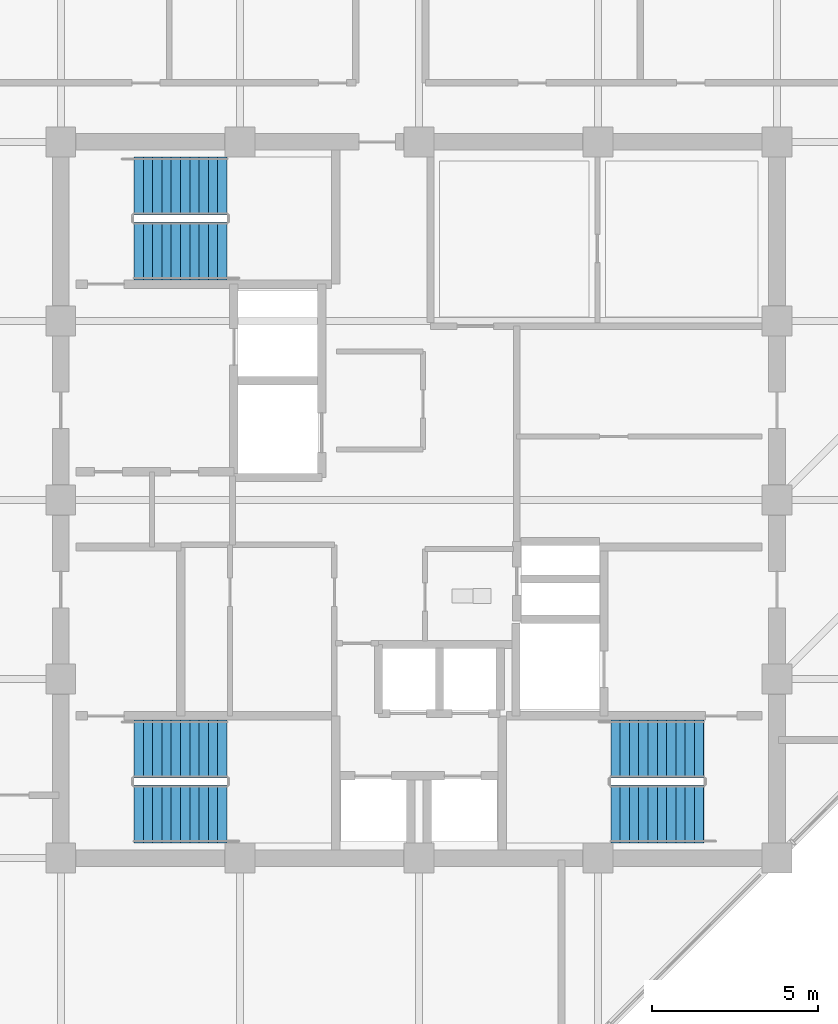
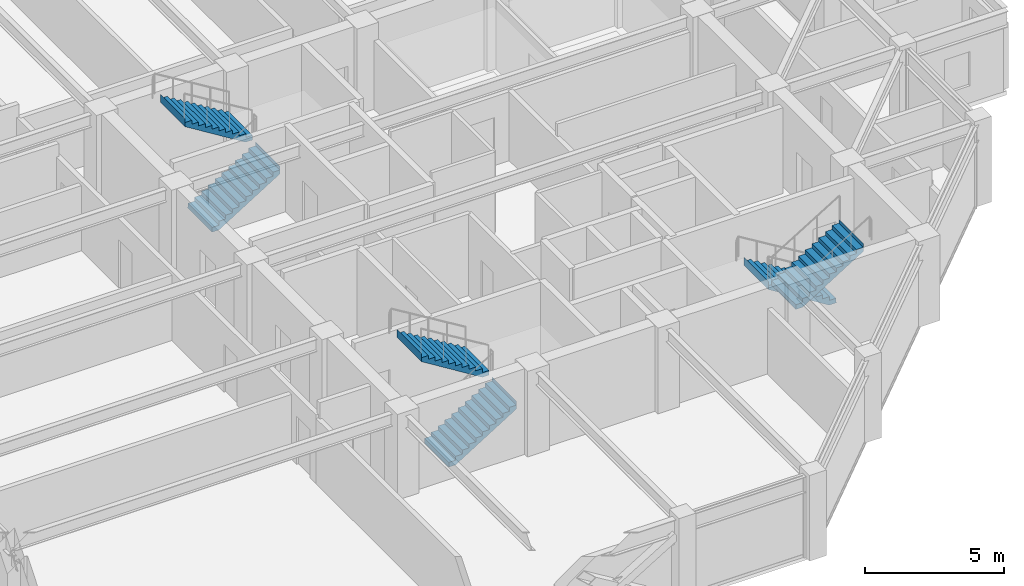
# One storey, part 29 of 32: 6 stair flights, 3 elements without a shape of their own.
"""IFC4 building model written with IfcOpenShell, lengths in metres."""

from ifc_helpers import new_model, si_unit, direction, frame, origin, place, context, subcontext, project, spatial, polyline, outline, extrude, material, type_object, element, aggregate, save


model = new_model("IFC4")

# Units and contexts
model_context = context("Model", 3, precision=1e-05, world=origin(), true_north=direction((0.0, 1.0)))
body_context = subcontext(model_context, "Body", "Model", "MODEL_VIEW")
ifc_project = project(units=[si_unit("LENGTHUNIT", "METRE"), si_unit("AREAUNIT", "SQUARE_METRE"), si_unit("VOLUMEUNIT", "CUBIC_METRE"), si_unit("PLANEANGLEUNIT", "RADIAN"), si_unit("MASSUNIT", "GRAM", prefix="KILO")], contexts=[model_context])

# Site, building, storey
site_placement = place(None, origin())
site = spatial("IfcSite", under=ifc_project, at=site_placement, CompositionType="ELEMENT")
building_placement = place(site_placement, origin())
building = spatial("IfcBuilding", under=site, at=building_placement, Name="Surkhivell Harbour Commons", CompositionType="ELEMENT")
storey_placement = place(building_placement, frame((0.0, 0.0, 311.25)))
storey = spatial("IfcBuildingStorey", under=building, at=storey_placement, Name="L81", CompositionType="ELEMENT", Elevation=311.25)

# Stair, stair flights
ifc_material = material(Name="Precast concrete C45/55", Category="concrete")
stair_type = type_object("IfcStairType", Name="STR-DL-375", PredefinedType="HALF_TURN_STAIR", material=ifc_material)
stair_1_placement = place(storey_placement, origin())
stair_1 = element("IfcStair", 1, at=stair_1_placement, inside=storey, type_object=stair_type, Name="L81 Core Exit Stair ST1", PredefinedType="HALF_TURN_STAIR")
stair_flight_type = type_object("IfcStairFlightType", Name="STF-DL-375", PredefinedType="STRAIGHT", material=ifc_material)
stair_flight_1_placement = place(storey_placement, frame((-8.590087890625, 7.514892578125, 0.0), z_axis=(0.0, 0.0, 1.0), x_axis=(1.0, 0.0, 0.0)))
stair_flight_1 = element("IfcStairFlight", 2, at=stair_flight_1_placement, type_object=stair_flight_type, Name="ST1 flight 1", NumberOfRisers=11, NumberOfTreads=10, PredefinedType="STRAIGHT", RiserHeight=0.170454545, TreadLength=0.28, context=body_context, shape_type="SweptSolid", body=[
    extrude(outline(polyline([(-0.0029296875, -0.034912109375), (-0.0029296875, 0.0), (0.0, 0.0), (0.0, 0.17041015625), (0.280029296875, 0.17041015625), (0.280029296875, 0.3408203125), (0.56005859375, 0.3408203125), (0.56005859375, 0.511474609375), (0.840087890625, 0.511474609375), (0.840087890625, 0.681884765625), (1.1201171875, 0.681884765625), (1.1201171875, 0.852294921875), (1.39990234375, 0.852294921875), (1.39990234375, 1.022705078125), (1.679931640625, 1.022705078125), (1.679931640625, 1.193115234375), (1.9599609375, 1.193115234375), (1.9599609375, 1.363525390625), (2.239990234375, 1.363525390625), (2.239990234375, 1.5341796875), (2.52001953125, 1.5341796875), (2.52001953125, 1.70458984375), (2.800048828125, 1.70458984375), (2.800048828125, 1.875), (2.802978515625, 1.875), (2.802978515625, 1.529052734375), (0.288330078125, -0.034912109375), (-0.0029296875, -0.034912109375)])), frame((0.0, 0.875, 0.0), z_axis=(0.0, -1.0, 0.0), x_axis=(1.0, 0.0, 0.0)), (0.0, 0.0, 1.0), 1.75),
])
stair_flight_2_placement = place(storey_placement, frame((-5.7900390625, 9.465087890625, 1.875), z_axis=(0.0, 0.0, 1.0), x_axis=(-1.0, 0.0, 0.0)))
stair_flight_2 = element("IfcStairFlight", 3, at=stair_flight_2_placement, type_object=stair_flight_type, Name="ST1 flight 2", NumberOfRisers=11, NumberOfTreads=10, PredefinedType="STRAIGHT", RiserHeight=0.170454545, TreadLength=0.28, context=body_context, shape_type="SweptSolid", body=[
    extrude(outline(polyline([(-0.0029296875, -0.034912109375), (-0.0029296875, 0.0), (0.0, 0.0), (0.0, 0.17041015625), (0.280029296875, 0.17041015625), (0.280029296875, 0.3408203125), (0.56005859375, 0.3408203125), (0.56005859375, 0.511474609375), (0.840087890625, 0.511474609375), (0.840087890625, 0.681884765625), (1.1201171875, 0.681884765625), (1.1201171875, 0.852294921875), (1.39990234375, 0.852294921875), (1.39990234375, 1.022705078125), (1.679931640625, 1.022705078125), (1.679931640625, 1.193115234375), (1.9599609375, 1.193115234375), (1.9599609375, 1.363525390625), (2.239990234375, 1.363525390625), (2.239990234375, 1.5341796875), (2.52001953125, 1.5341796875), (2.52001953125, 1.70458984375), (2.800048828125, 1.70458984375), (2.800048828125, 1.875), (2.802978515625, 1.875), (2.802978515625, 1.529052734375), (0.288330078125, -0.034912109375), (-0.0029296875, -0.034912109375)])), frame((0.0, 0.875, 0.0), z_axis=(0.0, -1.0, 0.0), x_axis=(1.0, 0.0, 0.0)), (0.0, 0.0, 1.0), 1.75),
])
aggregate(stair_1, [stair_flight_1, stair_flight_2])

stair_2_placement = place(storey_placement, origin())
stair_2 = element("IfcStair", 4, at=stair_2_placement, inside=storey, type_object=stair_type, Name="L81 Core Exit Stair ST2", PredefinedType="HALF_TURN_STAIR")
stair_flight_3_placement = place(storey_placement, frame((8.590087890625, -7.514892578125, 0.0), z_axis=(0.0, 0.0, 1.0), x_axis=(-1.0, 0.0, 0.0)))
stair_flight_3 = element("IfcStairFlight", 5, at=stair_flight_3_placement, type_object=stair_flight_type, Name="ST2 flight 1", NumberOfRisers=11, NumberOfTreads=10, PredefinedType="STRAIGHT", RiserHeight=0.170454545, TreadLength=0.28, context=body_context, shape_type="SweptSolid", body=[
    extrude(outline(polyline([(-0.0029296875, -0.034912109375), (-0.0029296875, 0.0), (0.0, 0.0), (0.0, 0.17041015625), (0.280029296875, 0.17041015625), (0.280029296875, 0.3408203125), (0.56005859375, 0.3408203125), (0.56005859375, 0.511474609375), (0.840087890625, 0.511474609375), (0.840087890625, 0.681884765625), (1.1201171875, 0.681884765625), (1.1201171875, 0.852294921875), (1.39990234375, 0.852294921875), (1.39990234375, 1.022705078125), (1.679931640625, 1.022705078125), (1.679931640625, 1.193115234375), (1.9599609375, 1.193115234375), (1.9599609375, 1.363525390625), (2.239990234375, 1.363525390625), (2.239990234375, 1.5341796875), (2.52001953125, 1.5341796875), (2.52001953125, 1.70458984375), (2.800048828125, 1.70458984375), (2.800048828125, 1.875), (2.802978515625, 1.875), (2.802978515625, 1.529052734375), (0.288330078125, -0.034912109375), (-0.0029296875, -0.034912109375)])), frame((0.0, 0.875, 0.0), z_axis=(0.0, -1.0, 0.0), x_axis=(1.0, 0.0, 0.0)), (0.0, 0.0, 1.0), 1.75),
])
stair_flight_4_placement = place(storey_placement, frame((5.7900390625, -9.465087890625, 1.875), z_axis=(0.0, 0.0, 1.0), x_axis=(1.0, 0.0, 0.0)))
stair_flight_4 = element("IfcStairFlight", 6, at=stair_flight_4_placement, type_object=stair_flight_type, Name="ST2 flight 2", NumberOfRisers=11, NumberOfTreads=10, PredefinedType="STRAIGHT", RiserHeight=0.170454545, TreadLength=0.28, context=body_context, shape_type="SweptSolid", body=[
    extrude(outline(polyline([(-0.0029296875, -0.034912109375), (-0.0029296875, 0.0), (0.0, 0.0), (0.0, 0.17041015625), (0.280029296875, 0.17041015625), (0.280029296875, 0.3408203125), (0.56005859375, 0.3408203125), (0.56005859375, 0.511474609375), (0.840087890625, 0.511474609375), (0.840087890625, 0.681884765625), (1.1201171875, 0.681884765625), (1.1201171875, 0.852294921875), (1.39990234375, 0.852294921875), (1.39990234375, 1.022705078125), (1.679931640625, 1.022705078125), (1.679931640625, 1.193115234375), (1.9599609375, 1.193115234375), (1.9599609375, 1.363525390625), (2.239990234375, 1.363525390625), (2.239990234375, 1.5341796875), (2.52001953125, 1.5341796875), (2.52001953125, 1.70458984375), (2.800048828125, 1.70458984375), (2.800048828125, 1.875), (2.802978515625, 1.875), (2.802978515625, 1.529052734375), (0.288330078125, -0.034912109375), (-0.0029296875, -0.034912109375)])), frame((0.0, 0.875, 0.0), z_axis=(0.0, -1.0, 0.0), x_axis=(1.0, 0.0, 0.0)), (0.0, 0.0, 1.0), 1.75),
])
aggregate(stair_2, [stair_flight_3, stair_flight_4])

stair_3_placement = place(storey_placement, origin())
stair_3 = element("IfcStair", 7, at=stair_3_placement, inside=storey, type_object=stair_type, Name="L81 Core Exit Stair ST3", PredefinedType="HALF_TURN_STAIR")
stair_flight_5_placement = place(storey_placement, frame((-8.590087890625, -9.465087890625, 0.0), z_axis=(0.0, 0.0, 1.0), x_axis=(1.0, 0.0, 0.0)))
stair_flight_5 = element("IfcStairFlight", 8, at=stair_flight_5_placement, type_object=stair_flight_type, Name="ST3 flight 1", NumberOfRisers=11, NumberOfTreads=10, PredefinedType="STRAIGHT", RiserHeight=0.170454545, TreadLength=0.28, context=body_context, shape_type="SweptSolid", body=[
    extrude(outline(polyline([(-0.0029296875, -0.034912109375), (-0.0029296875, 0.0), (0.0, 0.0), (0.0, 0.17041015625), (0.280029296875, 0.17041015625), (0.280029296875, 0.3408203125), (0.56005859375, 0.3408203125), (0.56005859375, 0.511474609375), (0.840087890625, 0.511474609375), (0.840087890625, 0.681884765625), (1.1201171875, 0.681884765625), (1.1201171875, 0.852294921875), (1.39990234375, 0.852294921875), (1.39990234375, 1.022705078125), (1.679931640625, 1.022705078125), (1.679931640625, 1.193115234375), (1.9599609375, 1.193115234375), (1.9599609375, 1.363525390625), (2.239990234375, 1.363525390625), (2.239990234375, 1.5341796875), (2.52001953125, 1.5341796875), (2.52001953125, 1.70458984375), (2.800048828125, 1.70458984375), (2.800048828125, 1.875), (2.802978515625, 1.875), (2.802978515625, 1.529052734375), (0.288330078125, -0.034912109375), (-0.0029296875, -0.034912109375)])), frame((0.0, 0.875, 0.0), z_axis=(0.0, -1.0, 0.0), x_axis=(1.0, 0.0, 0.0)), (0.0, 0.0, 1.0), 1.75),
])
stair_flight_6_placement = place(storey_placement, frame((-5.7900390625, -7.514892578125, 1.875), z_axis=(0.0, 0.0, 1.0), x_axis=(-1.0, 0.0, 0.0)))
stair_flight_6 = element("IfcStairFlight", 9, at=stair_flight_6_placement, type_object=stair_flight_type, Name="ST3 flight 2", NumberOfRisers=11, NumberOfTreads=10, PredefinedType="STRAIGHT", RiserHeight=0.170454545, TreadLength=0.28, context=body_context, shape_type="SweptSolid", body=[
    extrude(outline(polyline([(-0.0029296875, -0.034912109375), (-0.0029296875, 0.0), (0.0, 0.0), (0.0, 0.17041015625), (0.280029296875, 0.17041015625), (0.280029296875, 0.3408203125), (0.56005859375, 0.3408203125), (0.56005859375, 0.511474609375), (0.840087890625, 0.511474609375), (0.840087890625, 0.681884765625), (1.1201171875, 0.681884765625), (1.1201171875, 0.852294921875), (1.39990234375, 0.852294921875), (1.39990234375, 1.022705078125), (1.679931640625, 1.022705078125), (1.679931640625, 1.193115234375), (1.9599609375, 1.193115234375), (1.9599609375, 1.363525390625), (2.239990234375, 1.363525390625), (2.239990234375, 1.5341796875), (2.52001953125, 1.5341796875), (2.52001953125, 1.70458984375), (2.800048828125, 1.70458984375), (2.800048828125, 1.875), (2.802978515625, 1.875), (2.802978515625, 1.529052734375), (0.288330078125, -0.034912109375), (-0.0029296875, -0.034912109375)])), frame((0.0, 0.875, 0.0), z_axis=(0.0, -1.0, 0.0), x_axis=(1.0, 0.0, 0.0)), (0.0, 0.0, 1.0), 1.75),
])
aggregate(stair_3, [stair_flight_5, stair_flight_6])

save(model, "model.ifc")
